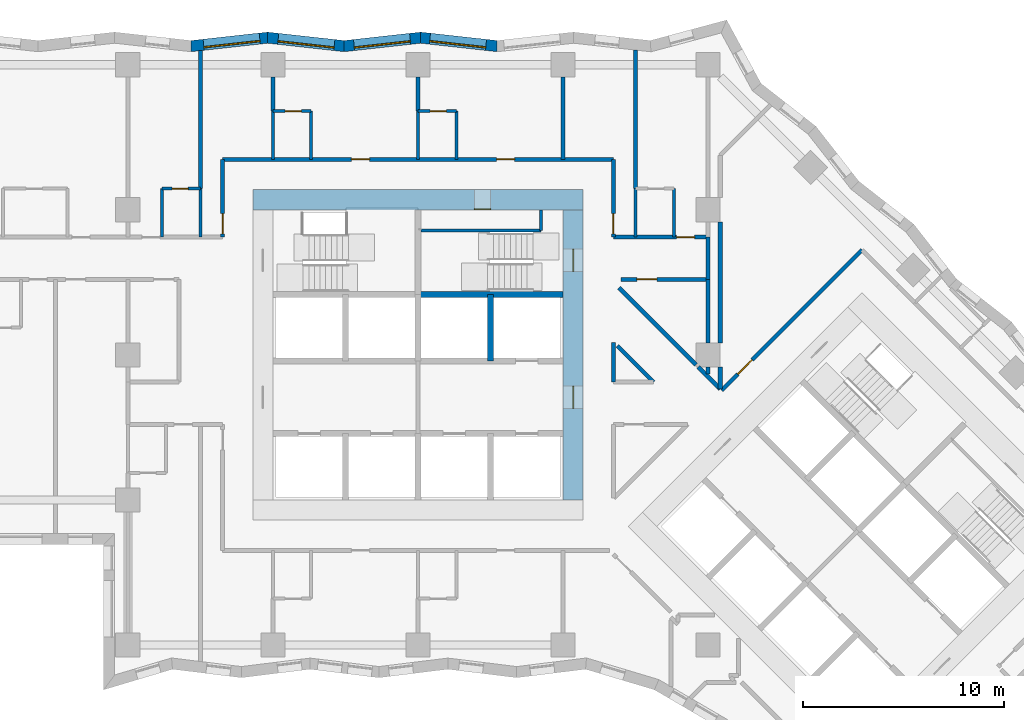
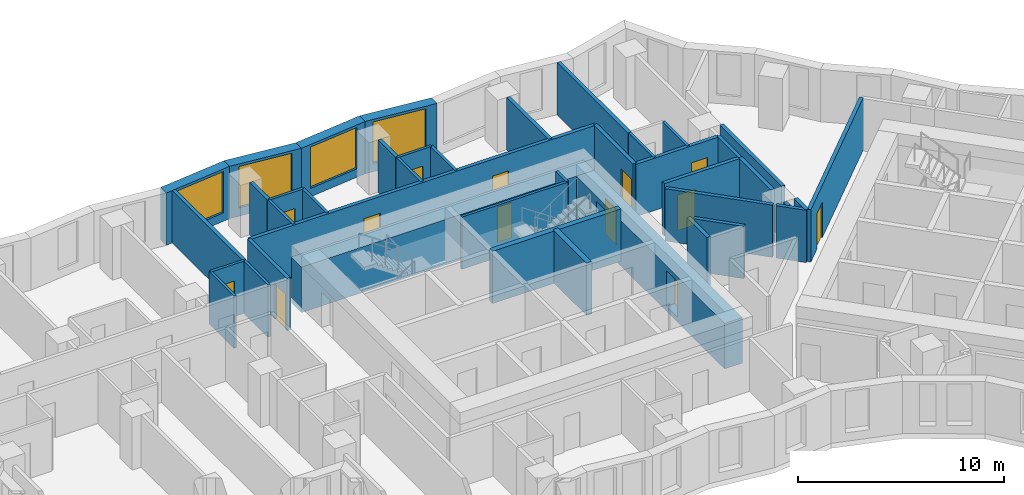
# One storey, part 6 of 13: 41 walls, 13 doors, 4 windows, 17 openings.
"""IFC4 building model written with IfcOpenShell, lengths in metres."""

from ifc_helpers import new_model, si_unit, direction, frame, frame_2d, origin, place, context, subcontext, project, spatial, polyline, rectangle, outline, extrude, material, layer, layer_set, type_object, element, fill, save


model = new_model("IFC4")

# Units and contexts
model_context = context("Model", 3, precision=1e-05, world=origin(), true_north=direction((0.0, 1.0)))
body_context = subcontext(model_context, "Body", "Model", "MODEL_VIEW")
ifc_project = project(units=[si_unit("LENGTHUNIT", "METRE"), si_unit("AREAUNIT", "SQUARE_METRE"), si_unit("VOLUMEUNIT", "CUBIC_METRE"), si_unit("PLANEANGLEUNIT", "RADIAN"), si_unit("MASSUNIT", "GRAM", prefix="KILO")], contexts=[model_context])

# Site, building, storey
site_placement = place(None, origin())
site = spatial("IfcSite", under=ifc_project, at=site_placement, CompositionType="ELEMENT")
building_placement = place(site_placement, origin())
building = spatial("IfcBuilding", under=site, at=building_placement, Name="Windrow Commons", CompositionType="ELEMENT")
storey_placement = place(building_placement, frame((0.0, 0.0, 40.6)))
storey = spatial("IfcBuildingStorey", under=building, at=storey_placement, Name="L10", CompositionType="ELEMENT", Elevation=40.6)

# Wall, opening, window
ifc_material_1 = material(Name="Brick masonry, red clay brick", Category="masonry")
ifc_layer_1 = layer(ifc_material_1, 0.55)
ifc_layer_set_1 = layer_set([ifc_layer_1], Name="Brick facade wall 550")
wall_type_1 = type_object("IfcWallType", Name="Brick facade wall 550", PredefinedType="SOLIDWALL", material=ifc_layer_set_1)
wall_1_placement = place(storey_placement, frame((68.7311, 72.9233, 0.0), z_axis=(0.0, 0.0, 1.0), x_axis=(-0.99390702, 0.1102217568, 0.0)))
wall_1 = element("IfcWall", 1, at=wall_1_placement, inside=storey, type_object=wall_type_1, Name="Brick facade wall L10 26", PredefinedType="SOLIDWALL", context=body_context, shape_type="SweptSolid", body=[
    extrude(outline(polyline([(0.0305, -0.275), (3.8501, -0.275), (3.7891, 0.275), (-0.0305, 0.275), (0.0305, -0.275)])), origin(), (0.0, 0.0, 1.0), 3.1),
])
opening_1_placement = place(wall_1_placement, frame((0.5611, 0.0, 0.5)))
opening_1 = element("IfcOpeningElement", 2, at=opening_1_placement, cuts=wall_1, Name="Opening W1T", PredefinedType="OPENING", context=body_context, shape_type="SweptSolid", body=[
    extrude(rectangle(XDim=2.8, YDim=2.45, at=frame_2d((1.4, 1.225))), frame((0.0, 0.285, 0.0), z_axis=(0.0, -1.0, 0.0), x_axis=(1.0, 0.0, 0.0)), (0.0, 0.0, 1.0), 0.57),
])
ifc_material_2 = material(Name="Clear float glass in anodised aluminium frame", Category="aluminium")
window_type = type_object("IfcWindowType", Name="Window W1T bedroom 2800x2450", PartitioningType="SINGLE_PANEL", PredefinedType="WINDOW", material=ifc_material_2)
window_1_placement = place(opening_1_placement, origin())
window_1 = element("IfcWindow", 3, at=window_1_placement, inside=storey, type_object=window_type, Name="Window L10 26.1", OverallHeight=2.45, OverallWidth=2.8, PartitioningType="SINGLE_PANEL", PredefinedType="WINDOW", context=body_context, shape_type="SweptSolid", body=[
    extrude(rectangle(XDim=2.8, YDim=2.45, at=frame_2d((1.4, 1.225))), frame((0.0, 0.155, 0.0), z_axis=(0.0, -1.0, 0.0), x_axis=(1.0, 0.0, 0.0)), (0.0, 0.0, 1.0), 0.06),
])
fill(opening_1, window_1)

wall_2_placement = place(storey_placement, frame((64.9348, 73.3443, 0.0), z_axis=(0.0, 0.0, 1.0), x_axis=(-0.993907338, -0.1102188888, 0.0)))
wall_2 = element("IfcWall", 4, at=wall_2_placement, inside=storey, type_object=wall_type_1, Name="Brick facade wall L10 27", PredefinedType="SOLIDWALL", context=body_context, shape_type="SweptSolid", body=[
    extrude(outline(polyline([(-0.0305, -0.275), (3.7891, -0.275), (3.8501, 0.275), (0.0305, 0.275), (-0.0305, -0.275)])), origin(), (0.0, 0.0, 1.0), 3.1),
])
opening_2_placement = place(wall_2_placement, frame((0.525, 0.0, 0.5)))
opening_2 = element("IfcOpeningElement", 5, at=opening_2_placement, cuts=wall_2, Name="Opening W1T", PredefinedType="OPENING", context=body_context, shape_type="SweptSolid", body=[
    extrude(rectangle(XDim=2.8, YDim=2.45, at=frame_2d((1.4, 1.225))), frame((0.0, 0.285, 0.0), z_axis=(0.0, -1.0, 0.0), x_axis=(1.0, 0.0, 0.0)), (0.0, 0.0, 1.0), 0.57),
])
window_2_placement = place(opening_2_placement, origin())
window_2 = element("IfcWindow", 6, at=window_2_placement, inside=storey, type_object=window_type, Name="Window L10 27.1", OverallHeight=2.45, OverallWidth=2.8, PartitioningType="SINGLE_PANEL", PredefinedType="WINDOW", context=body_context, shape_type="SweptSolid", body=[
    extrude(rectangle(XDim=2.8, YDim=2.45, at=frame_2d((1.4, 1.225))), frame((0.0, 0.155, 0.0), z_axis=(0.0, -1.0, 0.0), x_axis=(1.0, 0.0, 0.0)), (0.0, 0.0, 1.0), 0.06),
])
fill(opening_2, window_2)

wall_3_placement = place(storey_placement, frame((61.1384, 72.9233, 0.0), z_axis=(0.0, 0.0, 1.0), x_axis=(-0.99390702, 0.1102217568, 0.0)))
wall_3 = element("IfcWall", 7, at=wall_3_placement, inside=storey, type_object=wall_type_1, Name="Brick facade wall L10 28", PredefinedType="SOLIDWALL", context=body_context, shape_type="SweptSolid", body=[
    extrude(outline(polyline([(0.0305, -0.275), (3.8501, -0.275), (3.7891, 0.275), (-0.0305, 0.275), (0.0305, -0.275)])), origin(), (0.0, 0.0, 1.0), 3.1),
])
opening_3_placement = place(wall_3_placement, frame((0.4945, 0.0, 0.5)))
opening_3 = element("IfcOpeningElement", 8, at=opening_3_placement, cuts=wall_3, Name="Opening W1T", PredefinedType="OPENING", context=body_context, shape_type="SweptSolid", body=[
    extrude(rectangle(XDim=2.8, YDim=2.45, at=frame_2d((1.4, 1.225))), frame((0.0, 0.285, 0.0), z_axis=(0.0, -1.0, 0.0), x_axis=(1.0, 0.0, 0.0)), (0.0, 0.0, 1.0), 0.57),
])
window_3_placement = place(opening_3_placement, origin())
window_3 = element("IfcWindow", 9, at=window_3_placement, inside=storey, type_object=window_type, Name="Window L10 28.1", OverallHeight=2.45, OverallWidth=2.8, PartitioningType="SINGLE_PANEL", PredefinedType="WINDOW", context=body_context, shape_type="SweptSolid", body=[
    extrude(rectangle(XDim=2.8, YDim=2.45, at=frame_2d((1.4, 1.225))), frame((0.0, 0.155, 0.0), z_axis=(0.0, -1.0, 0.0), x_axis=(1.0, 0.0, 0.0)), (0.0, 0.0, 1.0), 0.06),
])
fill(opening_3, window_3)

wall_4_placement = place(storey_placement, frame((57.3421, 73.3443, 0.0), z_axis=(0.0, 0.0, 1.0), x_axis=(-0.99390702, -0.1102217568, 0.0)))
wall_4 = element("IfcWall", 10, at=wall_4_placement, inside=storey, type_object=wall_type_1, Name="Brick facade wall L10 29", PredefinedType="SOLIDWALL", context=body_context, shape_type="SweptSolid", body=[
    extrude(outline(polyline([(-0.0305, -0.275), (3.7891, -0.275), (3.8501, 0.275), (0.0305, 0.275), (-0.0305, -0.275)])), origin(), (0.0, 0.0, 1.0), 3.1),
])
opening_4_placement = place(wall_4_placement, frame((0.3966, 0.0, 0.5)))
opening_4 = element("IfcOpeningElement", 11, at=opening_4_placement, cuts=wall_4, Name="Opening W1T", PredefinedType="OPENING", context=body_context, shape_type="SweptSolid", body=[
    extrude(rectangle(XDim=2.8, YDim=2.45, at=frame_2d((1.4, 1.225))), frame((0.0, 0.285, 0.0), z_axis=(0.0, -1.0, 0.0), x_axis=(1.0, 0.0, 0.0)), (0.0, 0.0, 1.0), 0.57),
])
window_4_placement = place(opening_4_placement, origin())
window_4 = element("IfcWindow", 12, at=window_4_placement, inside=storey, type_object=window_type, Name="Window L10 29.1", OverallHeight=2.45, OverallWidth=2.8, PartitioningType="SINGLE_PANEL", PredefinedType="WINDOW", context=body_context, shape_type="SweptSolid", body=[
    extrude(rectangle(XDim=2.8, YDim=2.45, at=frame_2d((1.4, 1.225))), frame((0.0, 0.155, 0.0), z_axis=(0.0, -1.0, 0.0), x_axis=(1.0, 0.0, 0.0)), (0.0, 0.0, 1.0), 0.06),
])
fill(opening_4, window_4)

# Wall, openings, doors
ifc_material_3 = material(Name="Blockwork partition", Category="masonry")
ifc_layer_2 = layer(ifc_material_3, 0.2)
ifc_layer_set_2 = layer_set([ifc_layer_2], Name="IW-CORRIDOR-200")
wall_type_2 = type_object("IfcWallType", Name="IW-CORRIDOR-200", PredefinedType="PARTITIONING", material=ifc_layer_set_2)
wall_5_placement = place(storey_placement, frame((55.1, 67.3, 0.0), z_axis=(0.0, 0.0, 1.0), x_axis=(1.0, 0.0, 0.0)))
wall_5 = element("IfcWall", 13, at=wall_5_placement, inside=storey, type_object=wall_type_2, Name="W-L10-W002", PredefinedType="PARTITIONING", context=body_context, shape_type="SweptSolid", body=[
    extrude(rectangle(XDim=19.4, YDim=0.2, at=frame_2d((9.7, 0.0))), origin(), (0.0, 0.0, 1.0), 3.1),
])
opening_5_placement = place(wall_5_placement, frame((6.3994, 0.0, 0.0)))
opening_5 = element("IfcOpeningElement", 14, at=opening_5_placement, cuts=wall_5, Name="Opening D109F", PredefinedType="OPENING", context=body_context, shape_type="SweptSolid", body=[
    extrude(rectangle(XDim=0.9, YDim=2.1, at=frame_2d((0.45, 1.05))), frame((0.0, 0.11, 0.0), z_axis=(0.0, -1.0, 0.0), x_axis=(1.0, 0.0, 0.0)), (0.0, 0.0, 1.0), 0.22),
])
opening_6_placement = place(wall_5_placement, frame((13.5994, 0.0, 0.0)))
opening_6 = element("IfcOpeningElement", 15, at=opening_6_placement, cuts=wall_5, Name="Opening D109F", PredefinedType="OPENING", context=body_context, shape_type="SweptSolid", body=[
    extrude(rectangle(XDim=0.9, YDim=2.1, at=frame_2d((0.45, 1.05))), frame((0.0, 0.11, 0.0), z_axis=(0.0, -1.0, 0.0), x_axis=(1.0, 0.0, 0.0)), (0.0, 0.0, 1.0), 0.22),
])
ifc_material_4 = material(Name="Timber door leaf", Category="wood")
door_type_1 = type_object("IfcDoorType", Name="DT-BEDROOM-900", OperationType="SINGLE_SWING_LEFT", PredefinedType="DOOR", material=ifc_material_4)
door_1_placement = place(opening_5_placement, origin())
door_1 = element("IfcDoor", 16, at=door_1_placement, inside=storey, type_object=door_type_1, Name="D-L10-D028", OperationType="SINGLE_SWING_RIGHT", OverallHeight=2.1, OverallWidth=0.9, PredefinedType="DOOR", context=body_context, shape_type="SweptSolid", body=[
    extrude(rectangle(XDim=0.9, YDim=2.1, at=frame_2d((0.45, 1.05))), frame((0.0, 0.025, 0.0), z_axis=(0.0, -1.0, 0.0), x_axis=(1.0, 0.0, 0.0)), (0.0, 0.0, 1.0), 0.05),
])
fill(opening_5, door_1)
door_2_placement = place(opening_6_placement, origin())
door_2 = element("IfcDoor", 17, at=door_2_placement, inside=storey, type_object=door_type_1, Name="D-L10-D030", OperationType="SINGLE_SWING_RIGHT", OverallHeight=2.1, OverallWidth=0.9, PredefinedType="DOOR", context=body_context, shape_type="SweptSolid", body=[
    extrude(rectangle(XDim=0.9, YDim=2.1, at=frame_2d((0.45, 1.05))), frame((0.0, 0.025, 0.0), z_axis=(0.0, -1.0, 0.0), x_axis=(1.0, 0.0, 0.0)), (0.0, 0.0, 1.0), 0.05),
])
fill(opening_6, door_2)

# Wall, opening, door
wall_6_placement = place(storey_placement, frame((79.8707, 55.8433, 0.0), z_axis=(0.0, 0.0, 1.0), x_axis=(0.7071067812, 0.7071067812, 0.0)))
wall_6 = element("IfcWall", 18, at=wall_6_placement, inside=storey, type_object=wall_type_2, Name="W-L10-W010", PredefinedType="PARTITIONING", context=body_context, shape_type="SweptSolid", body=[
    extrude(rectangle(XDim=9.85, YDim=0.2, at=frame_2d((4.925, 0.0))), origin(), (0.0, 0.0, 1.0), 3.1),
])
opening_7_placement = place(wall_6_placement, frame((1.135, 0.0, 0.0)))
opening_7 = element("IfcOpeningElement", 19, at=opening_7_placement, cuts=wall_6, Name="Opening D310F", PredefinedType="OPENING", context=body_context, shape_type="SweptSolid", body=[
    extrude(rectangle(XDim=1.0, YDim=2.1, at=frame_2d((0.5, 1.05))), frame((0.0, 0.11, 0.0), z_axis=(0.0, -1.0, 0.0), x_axis=(1.0, 0.0, 0.0)), (0.0, 0.0, 1.0), 0.22),
])
ifc_material_5 = material(Name="Timber door leaf", Category="wood")
door_type_2 = type_object("IfcDoorType", Name="DT-AMENITY-1000", OperationType="SINGLE_SWING_LEFT", PredefinedType="DOOR", material=ifc_material_5)
door_3_placement = place(opening_7_placement, origin())
door_3 = element("IfcDoor", 20, at=door_3_placement, inside=storey, type_object=door_type_2, Name="D-L10-D038", OperationType="SINGLE_SWING_RIGHT", OverallHeight=2.1, OverallWidth=1.0, PredefinedType="DOOR", context=body_context, shape_type="SweptSolid", body=[
    extrude(rectangle(XDim=1.0, YDim=2.1, at=frame_2d((0.5, 1.05))), frame((0.0, 0.025, 0.0), z_axis=(0.0, -1.0, 0.0), x_axis=(1.0, 0.0, 0.0)), (0.0, 0.0, 1.0), 0.05),
])
fill(opening_7, door_3)

# Wall
wall_7_placement = place(storey_placement, frame((74.773, 60.935, 0.0), z_axis=(0.0, 0.0, 1.0), x_axis=(0.7071067812, -0.7071067812, 0.0)))
element("IfcWall", 21, at=wall_7_placement, inside=storey, type_object=wall_type_2, Name="W-L10-W037", PredefinedType="PARTITIONING", context=body_context, shape_type="SweptSolid", body=[
    extrude(rectangle(XDim=5.408, YDim=0.2, at=frame_2d((2.704, 0.0))), origin(), (0.0, 0.0, 1.0), 3.1),
])

# Wall, opening, door
wall_8_placement = place(storey_placement, frame((74.51, 63.45, 0.0), z_axis=(0.0, 0.0, 1.0), x_axis=(1.0, 0.0, 0.0)))
wall_8 = element("IfcWall", 22, at=wall_8_placement, inside=storey, type_object=wall_type_2, Name="W-L10-W043", PredefinedType="PARTITIONING", context=body_context, shape_type="SweptSolid", body=[
    extrude(rectangle(XDim=4.69, YDim=0.2, at=frame_2d((2.345, 0.0))), origin(), (0.0, 0.0, 1.0), 3.1),
])
opening_8_placement = place(wall_8_placement, frame((3.12, 0.0, 0.0)))
opening_8 = element("IfcOpeningElement", 23, at=opening_8_placement, cuts=wall_8, Name="Opening D109S", PredefinedType="OPENING", context=body_context, shape_type="SweptSolid", body=[
    extrude(rectangle(XDim=0.9, YDim=2.1, at=frame_2d((0.45, 1.05))), frame((0.0, 0.11, 0.0), z_axis=(0.0, -1.0, 0.0), x_axis=(1.0, 0.0, 0.0)), (0.0, 0.0, 1.0), 0.22),
])
door_4_placement = place(opening_8_placement, origin())
door_4 = element("IfcDoor", 24, at=door_4_placement, inside=storey, type_object=door_type_1, Name="D-L10-D021", OperationType="SINGLE_SWING_LEFT", OverallHeight=2.1, OverallWidth=0.9, PredefinedType="DOOR", context=body_context, shape_type="SweptSolid", body=[
    extrude(rectangle(XDim=0.9, YDim=2.1, at=frame_2d((0.45, 1.05))), frame((0.0, 0.025, 0.0), z_axis=(0.0, -1.0, 0.0), x_axis=(1.0, 0.0, 0.0)), (0.0, 0.0, 1.0), 0.05),
])
fill(opening_8, door_4)

wall_9_placement = place(storey_placement, frame((74.882, 61.35, 0.0), z_axis=(0.0, 0.0, 1.0), x_axis=(1.0, 0.0, 0.0)))
wall_9 = element("IfcWall", 25, at=wall_9_placement, inside=storey, type_object=wall_type_2, Name="W-L10-W047", PredefinedType="PARTITIONING", context=body_context, shape_type="SweptSolid", body=[
    extrude(rectangle(XDim=4.318, YDim=0.2, at=frame_2d((2.159, 0.0))), origin(), (0.0, 0.0, 1.0), 3.1),
])
opening_9_placement = place(wall_9_placement, frame((0.7796, 0.0, 0.0)))
opening_9 = element("IfcOpeningElement", 26, at=opening_9_placement, cuts=wall_9, Name="Opening D410F", PredefinedType="OPENING", context=body_context, shape_type="SweptSolid", body=[
    extrude(rectangle(XDim=1.0, YDim=2.1, at=frame_2d((0.5, 1.05))), frame((0.0, 0.11, 0.0), z_axis=(0.0, -1.0, 0.0), x_axis=(1.0, 0.0, 0.0)), (0.0, 0.0, 1.0), 0.22),
])
ifc_material_6 = material(Name="Timber door leaf", Category="wood")
door_type_3 = type_object("IfcDoorType", Name="DT-SERVICE-1000", OperationType="SINGLE_SWING_LEFT", PredefinedType="DOOR", material=ifc_material_6)
door_5_placement = place(opening_9_placement, origin())
door_5 = element("IfcDoor", 27, at=door_5_placement, inside=storey, type_object=door_type_3, Name="D-L10-D037", OperationType="SINGLE_SWING_RIGHT", OverallHeight=2.1, OverallWidth=1.0, PredefinedType="DOOR", context=body_context, shape_type="SweptSolid", body=[
    extrude(rectangle(XDim=1.0, YDim=2.1, at=frame_2d((0.5, 1.05))), frame((0.0, 0.025, 0.0), z_axis=(0.0, -1.0, 0.0), x_axis=(1.0, 0.0, 0.0)), (0.0, 0.0, 1.0), 0.05),
])
fill(opening_9, door_5)

wall_10_placement = place(storey_placement, frame((55.1, 63.452, 0.0), z_axis=(0.0, 0.0, 1.0), x_axis=(0.0, 1.0, 0.0)))
wall_10 = element("IfcWall", 28, at=wall_10_placement, inside=storey, type_object=wall_type_2, Name="W-L10-W051", PredefinedType="PARTITIONING", context=body_context, shape_type="SweptSolid", body=[
    extrude(rectangle(XDim=3.848, YDim=0.2, at=frame_2d((1.924, 0.0))), origin(), (0.0, 0.0, 1.0), 3.1),
])
opening_10_placement = place(wall_10_placement, frame((0.1548, 0.0, 0.0)))
opening_10 = element("IfcOpeningElement", 29, at=opening_10_placement, cuts=wall_10, Name="Opening D310F", PredefinedType="OPENING", context=body_context, shape_type="SweptSolid", body=[
    extrude(rectangle(XDim=1.0, YDim=2.1, at=frame_2d((0.5, 1.05))), frame((0.0, 0.11, 0.0), z_axis=(0.0, -1.0, 0.0), x_axis=(1.0, 0.0, 0.0)), (0.0, 0.0, 1.0), 0.22),
])
door_6_placement = place(opening_10_placement, origin())
door_6 = element("IfcDoor", 30, at=door_6_placement, inside=storey, type_object=door_type_2, Name="D-L10-D019", OperationType="SINGLE_SWING_LEFT", OverallHeight=2.1, OverallWidth=1.0, PredefinedType="DOOR", context=body_context, shape_type="SweptSolid", body=[
    extrude(rectangle(XDim=1.0, YDim=2.1, at=frame_2d((0.5, 1.05))), frame((0.0, 0.025, 0.0), z_axis=(0.0, -1.0, 0.0), x_axis=(1.0, 0.0, 0.0)), (0.0, 0.0, 1.0), 0.05),
])
fill(opening_10, door_6)

wall_11_placement = place(storey_placement, frame((74.5, 63.46, 0.0), z_axis=(0.0, 0.0, 1.0), x_axis=(0.0, 1.0, 0.0)))
wall_11 = element("IfcWall", 31, at=wall_11_placement, inside=storey, type_object=wall_type_2, Name="W-L10-W052", PredefinedType="PARTITIONING", context=body_context, shape_type="SweptSolid", body=[
    extrude(rectangle(XDim=3.84, YDim=0.2, at=frame_2d((1.92, 0.0))), origin(), (0.0, 0.0, 1.0), 3.1),
])
opening_11_placement = place(wall_11_placement, frame((0.1468, 0.0, 0.0)))
opening_11 = element("IfcOpeningElement", 32, at=opening_11_placement, cuts=wall_11, Name="Opening D310F", PredefinedType="OPENING", context=body_context, shape_type="SweptSolid", body=[
    extrude(rectangle(XDim=1.0, YDim=2.1, at=frame_2d((0.5, 1.05))), frame((0.0, 0.11, 0.0), z_axis=(0.0, -1.0, 0.0), x_axis=(1.0, 0.0, 0.0)), (0.0, 0.0, 1.0), 0.22),
])
door_7_placement = place(opening_11_placement, origin())
door_7 = element("IfcDoor", 33, at=door_7_placement, inside=storey, type_object=door_type_2, Name="D-L10-D020", OperationType="SINGLE_SWING_RIGHT", OverallHeight=2.1, OverallWidth=1.0, PredefinedType="DOOR", context=body_context, shape_type="SweptSolid", body=[
    extrude(rectangle(XDim=1.0, YDim=2.1, at=frame_2d((0.5, 1.05))), frame((0.0, 0.025, 0.0), z_axis=(0.0, -1.0, 0.0), x_axis=(1.0, 0.0, 0.0)), (0.0, 0.0, 1.0), 0.05),
])
fill(opening_11, door_7)

# Walls
wall_12_placement = place(storey_placement, frame((74.697, 58.041, 0.0), z_axis=(0.0, 0.0, 1.0), x_axis=(0.7071067812, -0.7071067812, 0.0)))
element("IfcWall", 34, at=wall_12_placement, inside=storey, type_object=wall_type_2, Name="W-L10-W068", PredefinedType="PARTITIONING", context=body_context, shape_type="SweptSolid", body=[
    extrude(rectangle(XDim=2.5343, YDim=0.2, at=frame_2d((1.2671, 0.0))), origin(), (0.0, 0.0, 1.0), 3.1),
])
wall_13_placement = place(storey_placement, frame((79.2, 61.35, 0.0), z_axis=(0.0, 0.0, 1.0), x_axis=(0.0, 1.0, 0.0)))
element("IfcWall", 35, at=wall_13_placement, inside=storey, type_object=wall_type_2, Name="W-L10-W118", PredefinedType="PARTITIONING", context=body_context, shape_type="SweptSolid", body=[
    extrude(rectangle(XDim=2.1, YDim=0.2, at=frame_2d((1.05, 0.0))), origin(), (0.0, 0.0, 1.0), 3.1),
])
wall_14_placement = place(storey_placement, frame((74.5, 56.26, 0.0), z_axis=(0.0, 0.0, 1.0), x_axis=(0.0, 1.0, 0.0)))
element("IfcWall", 36, at=wall_14_placement, inside=storey, type_object=wall_type_2, Name="W-L10-W122", PredefinedType="PARTITIONING", context=body_context, shape_type="SweptSolid", body=[
    extrude(rectangle(XDim=1.96, YDim=0.2, at=frame_2d((0.98, 0.0))), origin(), (0.0, 0.0, 1.0), 3.1),
])
wall_15_placement = place(storey_placement, frame((78.711, 56.997, 0.0), z_axis=(0.0, 0.0, 1.0), x_axis=(0.7071067812, -0.7071067812, 0.0)))
element("IfcWall", 37, at=wall_15_placement, inside=storey, type_object=wall_type_2, Name="W-L10-W151", PredefinedType="PARTITIONING", context=body_context, shape_type="SweptSolid", body=[
    extrude(rectangle(XDim=1.5358, YDim=0.2, at=frame_2d((0.7679, 0.0))), origin(), (0.0, 0.0, 1.0), 3.1),
])
ifc_material_7 = material(Name="Blockwork partition", Category="masonry")
ifc_layer_3 = layer(ifc_material_7, 0.15)
ifc_layer_set_3 = layer_set([ifc_layer_3], Name="IW-ENSUITE-150")
wall_type_3 = type_object("IfcWallType", Name="IW-ENSUITE-150", PredefinedType="PARTITIONING", material=ifc_layer_set_3)
for number, where, z_axis, x_axis, name in (
    (38, (59.5, 67.3, 0.0), (0.0, 0.0, 1.0), (0.0, 1.0, 0.0), "W-L10-W076"),
    (39, (57.6, 67.3, 0.0), (0.0, 0.0, 1.0), (0.0, 1.0, 0.0), "W-L10-W077"),
    (40, (66.7, 67.3, 0.0), (0.0, 0.0, 1.0), (0.0, 1.0, 0.0), "W-L10-W078"),
    (41, (64.8, 67.3, 0.0), (0.0, 0.0, 1.0), (0.0, 1.0, 0.0), "W-L10-W079"),
    (42, (52.1, 63.45, 0.0), (0.0, 0.0, 1.0), (0.0, 1.0, 0.0), "W-L10-W098"),
    (43, (54.0, 63.45, 0.0), (0.0, 0.0, 1.0), (0.0, 1.0, 0.0), "W-L10-W099"),
    (44, (75.6, 63.45, 0.0), (0.0, 0.0, 1.0), (0.0, 1.0, 0.0), "W-L10-W100"),
    (45, (77.5, 63.45, 0.0), (0.0, 0.0, 1.0), (0.0, 1.0, 0.0), "W-L10-W101"),
):
    element("IfcWall", number, at=place(storey_placement, frame(where, z_axis=z_axis, x_axis=x_axis)), inside=storey, type_object=wall_type_3, Name=name, PredefinedType="PARTITIONING", context=body_context, shape_type="SweptSolid", body=[
        extrude(rectangle(XDim=2.4, YDim=0.15, at=frame_2d((1.2, 0.0))), origin(), (0.0, 0.0, 1.0), 3.1),
    ])

# Wall, opening, door
wall_16_placement = place(storey_placement, frame((64.8, 69.7, 0.0), z_axis=(0.0, 0.0, 1.0), x_axis=(1.0, 0.0, 0.0)))
wall_16 = element("IfcWall", 46, at=wall_16_placement, inside=storey, type_object=wall_type_3, Name="W-L10-W128", PredefinedType="PARTITIONING", context=body_context, shape_type="SweptSolid", body=[
    extrude(rectangle(XDim=1.9, YDim=0.15, at=frame_2d((0.95, 0.0))), origin(), (0.0, 0.0, 1.0), 3.1),
])
opening_12_placement = place(wall_16_placement, frame((0.6069, 0.0, 0.0)))
opening_12 = element("IfcOpeningElement", 47, at=opening_12_placement, cuts=wall_16, Name="Opening D208N", PredefinedType="OPENING", context=body_context, shape_type="SweptSolid", body=[
    extrude(rectangle(XDim=0.8, YDim=2.1, at=frame_2d((0.4, 1.05))), frame((0.0, 0.085, 0.0), z_axis=(0.0, -1.0, 0.0), x_axis=(1.0, 0.0, 0.0)), (0.0, 0.0, 1.0), 0.17),
])
ifc_material_8 = material(Name="Timber door leaf", Category="wood")
door_type_4 = type_object("IfcDoorType", Name="DT-ENSUITE-800", OperationType="SINGLE_SWING_LEFT", PredefinedType="DOOR", material=ifc_material_8)
door_8_placement = place(opening_12_placement, origin())
door_8 = element("IfcDoor", 48, at=door_8_placement, inside=storey, type_object=door_type_4, Name="D-L10-D031", OperationType="SINGLE_SWING_RIGHT", OverallHeight=2.1, OverallWidth=0.8, PredefinedType="DOOR", context=body_context, shape_type="SweptSolid", body=[
    extrude(rectangle(XDim=0.8, YDim=2.1, at=frame_2d((0.4, 1.05))), frame((0.0, 0.025, 0.0), z_axis=(0.0, -1.0, 0.0), x_axis=(1.0, 0.0, 0.0)), (0.0, 0.0, 1.0), 0.05),
])
fill(opening_12, door_8)

wall_17_placement = place(storey_placement, frame((52.1, 65.85, 0.0), z_axis=(0.0, 0.0, 1.0), x_axis=(1.0, 0.0, 0.0)))
wall_17 = element("IfcWall", 49, at=wall_17_placement, inside=storey, type_object=wall_type_3, Name="W-L10-W133", PredefinedType="PARTITIONING", context=body_context, shape_type="SweptSolid", body=[
    extrude(rectangle(XDim=1.9, YDim=0.15, at=frame_2d((0.95, 0.0))), origin(), (0.0, 0.0, 1.0), 3.1),
])
opening_13_placement = place(wall_17_placement, frame((0.4931, 0.0, 0.0)))
opening_13 = element("IfcOpeningElement", 50, at=opening_13_placement, cuts=wall_17, Name="Opening D208N", PredefinedType="OPENING", context=body_context, shape_type="SweptSolid", body=[
    extrude(rectangle(XDim=0.8, YDim=2.1, at=frame_2d((0.4, 1.05))), frame((0.0, 0.085, 0.0), z_axis=(0.0, -1.0, 0.0), x_axis=(1.0, 0.0, 0.0)), (0.0, 0.0, 1.0), 0.17),
])
door_9_placement = place(opening_13_placement, origin())
door_9 = element("IfcDoor", 51, at=door_9_placement, inside=storey, type_object=door_type_4, Name="D-L10-D018", OperationType="SINGLE_SWING_RIGHT", OverallHeight=2.1, OverallWidth=0.8, PredefinedType="DOOR", context=body_context, shape_type="SweptSolid", body=[
    extrude(rectangle(XDim=0.8, YDim=2.1, at=frame_2d((0.4, 1.05))), frame((0.0, 0.025, 0.0), z_axis=(0.0, -1.0, 0.0), x_axis=(1.0, 0.0, 0.0)), (0.0, 0.0, 1.0), 0.05),
])
fill(opening_13, door_9)

wall_18_placement = place(storey_placement, frame((57.6, 69.7, 0.0), z_axis=(0.0, 0.0, 1.0), x_axis=(1.0, 0.0, 0.0)))
wall_18 = element("IfcWall", 52, at=wall_18_placement, inside=storey, type_object=wall_type_3, Name="W-L10-W136", PredefinedType="PARTITIONING", context=body_context, shape_type="SweptSolid", body=[
    extrude(rectangle(XDim=1.9, YDim=0.15, at=frame_2d((0.95, 0.0))), origin(), (0.0, 0.0, 1.0), 3.1),
])
opening_14_placement = place(wall_18_placement, frame((0.6069, 0.0, 0.0)))
opening_14 = element("IfcOpeningElement", 53, at=opening_14_placement, cuts=wall_18, Name="Opening D208N", PredefinedType="OPENING", context=body_context, shape_type="SweptSolid", body=[
    extrude(rectangle(XDim=0.8, YDim=2.1, at=frame_2d((0.4, 1.05))), frame((0.0, 0.085, 0.0), z_axis=(0.0, -1.0, 0.0), x_axis=(1.0, 0.0, 0.0)), (0.0, 0.0, 1.0), 0.17),
])
door_10_placement = place(opening_14_placement, origin())
door_10 = element("IfcDoor", 54, at=door_10_placement, inside=storey, type_object=door_type_4, Name="D-L10-D029", OperationType="SINGLE_SWING_RIGHT", OverallHeight=2.1, OverallWidth=0.8, PredefinedType="DOOR", context=body_context, shape_type="SweptSolid", body=[
    extrude(rectangle(XDim=0.8, YDim=2.1, at=frame_2d((0.4, 1.05))), frame((0.0, 0.025, 0.0), z_axis=(0.0, -1.0, 0.0), x_axis=(1.0, 0.0, 0.0)), (0.0, 0.0, 1.0), 0.05),
])
fill(opening_14, door_10)

# Walls
ifc_material_9 = material(Name="Blockwork partition", Category="masonry")
ifc_layer_4 = layer(ifc_material_9, 0.2)
ifc_layer_set_4 = layer_set([ifc_layer_4], Name="IW-PARTY-200")
wall_type_4 = type_object("IfcWallType", Name="IW-PARTY-200", PredefinedType="PARTITIONING", material=ifc_layer_set_4)
wall_19_placement = place(storey_placement, frame((75.6, 65.85, 0.0), z_axis=(0.0, 0.0, 1.0), x_axis=(0.0, 1.0, 0.0)))
element("IfcWall", 55, at=wall_19_placement, inside=storey, type_object=wall_type_4, Name="W-L10-W018", PredefinedType="PARTITIONING", context=body_context, shape_type="SweptSolid", body=[
    extrude(rectangle(XDim=6.8769, YDim=0.2, at=frame_2d((3.4385, 0.0))), origin(), (0.0, 0.0, 1.0), 3.1),
])
wall_20_placement = place(storey_placement, frame((54.0, 65.85, 0.0), z_axis=(0.0, 0.0, 1.0), x_axis=(0.0, 1.0, 0.0)))
element("IfcWall", 56, at=wall_20_placement, inside=storey, type_object=wall_type_4, Name="W-L10-W019", PredefinedType="PARTITIONING", context=body_context, shape_type="SweptSolid", body=[
    extrude(rectangle(XDim=6.847, YDim=0.2, at=frame_2d((3.4235, 0.0))), origin(), (0.0, 0.0, 1.0), 3.1),
])
wall_21_placement = place(storey_placement, frame((79.8, 58.2, 0.0), z_axis=(0.0, 0.0, 1.0), x_axis=(0.0, 1.0, 0.0)))
element("IfcWall", 57, at=wall_21_placement, inside=storey, type_object=wall_type_4, Name="W-L10-W031", PredefinedType="PARTITIONING", context=body_context, shape_type="SweptSolid", body=[
    extrude(rectangle(XDim=6.0, YDim=0.2, at=frame_2d((3.0, 0.0))), origin(), (0.0, 0.0, 1.0), 3.1),
])
wall_22_placement = place(storey_placement, frame((72.0, 67.3, 0.0), z_axis=(0.0, 0.0, 1.0), x_axis=(0.0, 1.0, 0.0)))
element("IfcWall", 58, at=wall_22_placement, inside=storey, type_object=wall_type_4, Name="W-L10-W048", PredefinedType="PARTITIONING", context=body_context, shape_type="SweptSolid", body=[
    extrude(rectangle(XDim=4.1, YDim=0.2, at=frame_2d((2.05, 0.0))), origin(), (0.0, 0.0, 1.0), 3.1),
])
wall_23_placement = place(storey_placement, frame((79.2, 58.2, 0.0), z_axis=(0.0, 0.0, 1.0), x_axis=(0.0, 1.0, 0.0)))
element("IfcWall", 59, at=wall_23_placement, inside=storey, type_object=wall_type_4, Name="W-L10-W063", PredefinedType="PARTITIONING", context=body_context, shape_type="SweptSolid", body=[
    extrude(rectangle(XDim=3.15, YDim=0.2, at=frame_2d((1.575, 0.0))), origin(), (0.0, 0.0, 1.0), 3.1),
])
for number, where, z_axis, x_axis, name in (
    (60, (57.6, 69.7, 0.0), (0.0, 0.0, 1.0), (0.0, 1.0, 0.0), "W-L10-W147"),
    (61, (64.8, 69.7, 0.0), (0.0, 0.0, 1.0), (0.0, 1.0, 0.0), "W-L10-W149"),
):
    element("IfcWall", number, at=place(storey_placement, frame(where, z_axis=z_axis, x_axis=x_axis)), inside=storey, type_object=wall_type_4, Name=name, PredefinedType="PARTITIONING", context=body_context, shape_type="SweptSolid", body=[
        extrude(rectangle(XDim=1.7, YDim=0.2, at=frame_2d((0.85, 0.0))), origin(), (0.0, 0.0, 1.0), 3.1),
    ])
wall_24_placement = place(storey_placement, frame((79.8, 55.914, 0.0), z_axis=(0.0, 0.0, 1.0), x_axis=(0.0, 1.0, 0.0)))
element("IfcWall", 62, at=wall_24_placement, inside=storey, type_object=wall_type_4, Name="W-L10-W154", PredefinedType="PARTITIONING", context=body_context, shape_type="SweptSolid", body=[
    extrude(rectangle(XDim=1.086, YDim=0.2, at=frame_2d((0.543, 0.0))), origin(), (0.0, 0.0, 1.0), 3.1),
])
wall_25_placement = place(storey_placement, frame((79.2, 56.644, 0.0), z_axis=(0.0, 0.0, 1.0), x_axis=(0.0, 1.0, 0.0)))
element("IfcWall", 63, at=wall_25_placement, inside=storey, type_object=wall_type_4, Name="W-L10-W189", PredefinedType="PARTITIONING", context=body_context, shape_type="SweptSolid", body=[
    extrude(rectangle(XDim=0.356, YDim=0.2, at=frame_2d((0.178, 0.0))), origin(), (0.0, 0.0, 1.0), 3.1),
])

# Wall, opening, door
ifc_material_10 = material(Name="Concrete C60/75", Category="concrete")
ifc_layer_5 = layer(ifc_material_10, 1.0)
ifc_layer_set_5 = layer_set([ifc_layer_5], Name="RC CORE WALL 1000 C60/75")
wall_type_5 = type_object("IfcWallType", Name="RC CORE WALL 1000 C60/75", PredefinedType="SHEAR", material=ifc_layer_set_5)
wall_26_placement = place(storey_placement, frame((56.6, 65.3, -0.3), z_axis=(0.0, 0.0, 1.0), x_axis=(1.0, 0.0, 0.0)))
wall_26 = element("IfcWall", 64, at=wall_26_placement, inside=storey, type_object=wall_type_5, Name="Core A wall outer-N", PredefinedType="SHEAR", context=body_context, shape_type="SweptSolid", body=[
    extrude(rectangle(XDim=16.4, YDim=1.0, at=frame_2d((8.2, 0.0))), origin(), (0.0, 0.0, 1.0), 2.7),
])
opening_15_placement = place(wall_26_placement, frame((11.0, 0.0, 0.3)))
opening_15 = element("IfcOpeningElement", 65, at=opening_15_placement, cuts=wall_26, Name="Opening D9", PredefinedType="OPENING", context=body_context, shape_type="SweptSolid", body=[
    extrude(rectangle(XDim=0.8, YDim=2.1, at=frame_2d((0.4, 1.05))), frame((0.0, 0.51, 0.0), z_axis=(0.0, -1.0, 0.0), x_axis=(1.0, 0.0, 0.0)), (0.0, 0.0, 1.0), 1.02),
])
ifc_material_11 = material(Name="Steel fire door leaf", Category="steel")
door_type_5 = type_object("IfcDoorType", Name="Riser access door 800", OperationType="SINGLE_SWING_LEFT", PredefinedType="DOOR", material=ifc_material_11)
door_11_placement = place(opening_15_placement, origin())
door_11 = element("IfcDoor", 66, at=door_11_placement, inside=storey, type_object=door_type_5, Name="Riser access door", OperationType="SINGLE_SWING_RIGHT", OverallHeight=2.1, OverallWidth=0.8, PredefinedType="DOOR", context=body_context, shape_type="SweptSolid", body=[
    extrude(rectangle(XDim=0.8, YDim=2.1, at=frame_2d((0.4, 1.05))), frame((0.0, -0.44, 0.0), z_axis=(0.0, -1.0, 0.0), x_axis=(1.0, 0.0, 0.0)), (0.0, 0.0, 1.0), 0.05),
])
fill(opening_15, door_11)

# Wall, openings, doors
wall_27_placement = place(storey_placement, frame((72.5, 50.4, -0.3), z_axis=(0.0, 0.0, 1.0), x_axis=(0.0, 1.0, 0.0)))
wall_27 = element("IfcWall", 67, at=wall_27_placement, inside=storey, type_object=wall_type_5, Name="Core A wall outer-E", PredefinedType="SHEAR", context=body_context, shape_type="SweptSolid", body=[
    extrude(rectangle(XDim=14.4, YDim=1.0, at=frame_2d((7.2, 0.0))), origin(), (0.0, 0.0, 1.0), 2.7),
])
opening_16_placement = place(wall_27_placement, frame((4.55, 0.0, 0.3)))
opening_16 = element("IfcOpeningElement", 68, at=opening_16_placement, cuts=wall_27, Name="Opening D6", PredefinedType="OPENING", context=body_context, shape_type="SweptSolid", body=[
    extrude(rectangle(XDim=1.1, YDim=2.1, at=frame_2d((0.55, 1.05))), frame((0.0, 0.51, 0.0), z_axis=(0.0, -1.0, 0.0), x_axis=(1.0, 0.0, 0.0)), (0.0, 0.0, 1.0), 1.02),
])
opening_17_placement = place(wall_27_placement, frame((11.35, 0.0, 0.3)))
opening_17 = element("IfcOpeningElement", 69, at=opening_17_placement, cuts=wall_27, Name="Opening D7", PredefinedType="OPENING", context=body_context, shape_type="SweptSolid", body=[
    extrude(rectangle(XDim=1.1, YDim=2.1, at=frame_2d((0.55, 1.05))), frame((0.0, 0.51, 0.0), z_axis=(0.0, -1.0, 0.0), x_axis=(1.0, 0.0, 0.0)), (0.0, 0.0, 1.0), 1.02),
])
ifc_material_12 = material(Name="Steel fire door leaf", Category="steel")
door_type_6 = type_object("IfcDoorType", Name="Core lobby door 1100", OperationType="SINGLE_SWING_LEFT", PredefinedType="DOOR", material=ifc_material_12)
door_12_placement = place(opening_16_placement, origin())
door_12 = element("IfcDoor", 70, at=door_12_placement, inside=storey, type_object=door_type_6, Name="Lift lobby door", OperationType="DOUBLE_DOOR_SINGLE_SWING", OverallHeight=2.1, OverallWidth=1.1, PredefinedType="DOOR", context=body_context, shape_type="SweptSolid", body=[
    extrude(rectangle(XDim=1.1, YDim=2.1, at=frame_2d((0.55, 1.05))), frame((0.0, 0.025, 0.0), z_axis=(0.0, -1.0, 0.0), x_axis=(1.0, 0.0, 0.0)), (0.0, 0.0, 1.0), 0.05),
])
fill(opening_16, door_12)
ifc_material_13 = material(Name="Steel fire door leaf", Category="steel")
door_type_7 = type_object("IfcDoorType", Name="Stair door 1100", OperationType="SINGLE_SWING_LEFT", PredefinedType="DOOR", material=ifc_material_13)
door_13_placement = place(opening_17_placement, origin())
door_13 = element("IfcDoor", 71, at=door_13_placement, inside=storey, type_object=door_type_7, Name="Stair door", OperationType="SINGLE_SWING_RIGHT", OverallHeight=2.1, OverallWidth=1.1, PredefinedType="DOOR", context=body_context, shape_type="SweptSolid", body=[
    extrude(rectangle(XDim=1.1, YDim=2.1, at=frame_2d((0.55, 1.05))), frame((0.0, 0.025, 0.0), z_axis=(0.0, -1.0, 0.0), x_axis=(1.0, 0.0, 0.0)), (0.0, 0.0, 1.0), 0.05),
])
fill(opening_17, door_13)

# Walls
ifc_material_14 = material(Name="Concrete C60/75", Category="concrete")
ifc_layer_6 = layer(ifc_material_14, 0.3)
ifc_layer_set_6 = layer_set([ifc_layer_6], Name="RC SHAFT WALL 300 C60/75")
wall_type_6 = type_object("IfcWallType", Name="RC SHAFT WALL 300 C60/75", PredefinedType="SOLIDWALL", material=ifc_layer_set_6)
wall_28_placement = place(storey_placement, frame((68.4, 57.3, 0.0), z_axis=(0.0, 0.0, 1.0), x_axis=(0.0, 1.0, 0.0)))
element("IfcWall", 72, at=wall_28_placement, inside=storey, type_object=wall_type_6, Name="Core A wall shaft-N3", PredefinedType="SOLIDWALL", context=body_context, shape_type="SweptSolid", body=[
    extrude(rectangle(XDim=3.3, YDim=0.3, at=frame_2d((1.65, 0.0))), origin(), (0.0, 0.0, 1.0), 3.1),
])
wall_29_placement = place(storey_placement, frame((64.8, 60.6, 0.0), z_axis=(0.0, 0.0, 1.0), x_axis=(1.0, 0.0, 0.0)))
element("IfcWall", 73, at=wall_29_placement, inside=storey, type_object=wall_type_6, Name="Core A wall stair-S2", PredefinedType="SOLIDWALL", context=body_context, shape_type="SweptSolid", body=[
    extrude(rectangle(XDim=7.2, YDim=0.3, at=frame_2d((3.6, 0.0))), origin(), (0.0, 0.0, 1.0), 3.1),
])
ifc_material_15 = material(Name="Blockwork partition", Category="masonry")
ifc_layer_7 = layer(ifc_material_15, 0.15)
ifc_layer_set_7 = layer_set([ifc_layer_7], Name="Riser partition 150")
wall_type_7 = type_object("IfcWallType", Name="Riser partition 150", PredefinedType="PARTITIONING", material=ifc_layer_set_7)
wall_30_placement = place(storey_placement, frame((64.95, 63.78, 0.0), z_axis=(0.0, 0.0, 1.0), x_axis=(1.0, 0.0, 0.0)))
element("IfcWall", 74, at=wall_30_placement, inside=storey, type_object=wall_type_7, Name="W-core-strip-A-L10", PredefinedType="PARTITIONING", context=body_context, shape_type="SweptSolid", body=[
    extrude(rectangle(XDim=5.95, YDim=0.15, at=frame_2d((2.975, 0.0))), origin(), (0.0, 0.0, 1.0), 3.1),
])
wall_31_placement = place(storey_placement, frame((70.9, 63.78, 0.0), z_axis=(0.0, 0.0, 1.0), x_axis=(0.0, 1.0, 0.0)))
element("IfcWall", 75, at=wall_31_placement, inside=storey, type_object=wall_type_7, Name="W-core-stripx-A-L10-1", PredefinedType="PARTITIONING", context=body_context, shape_type="SweptSolid", body=[
    extrude(rectangle(XDim=1.02, YDim=0.15, at=frame_2d((0.51, 0.0))), origin(), (0.0, 0.0, 1.0), 3.1),
])

save(model, "model.ifc")
